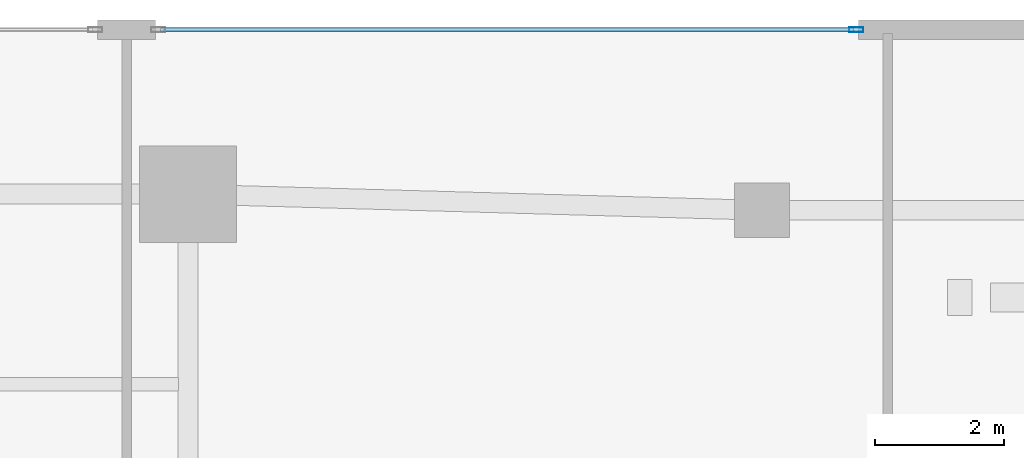
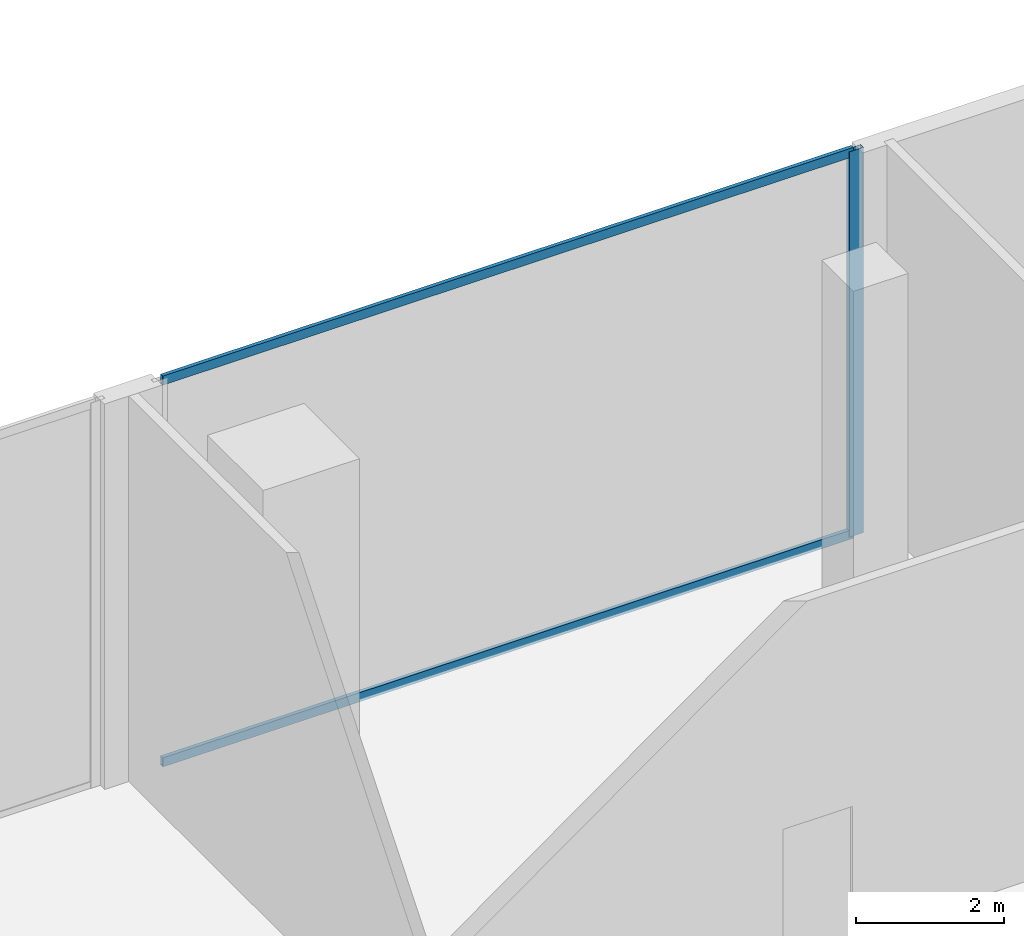
# One storey, part 18 of 30: 3 members, 1 element without a shape of its own.
"""IFC4 building model written with IfcOpenShell, lengths in metres."""

from ifc_helpers import new_model, si_unit, direction, frame, origin, origin_2d, place, context, subcontext, project, spatial, hollow_rectangle, extrude, material, layer, layer_set, material_profile, profile_set, type_object, element, aggregate, save


model = new_model("IFC4")

# Units and contexts
model_context = context("Model", 3, precision=1e-05, world=origin(), true_north=direction((0.0, 1.0)))
body_context = subcontext(model_context, "Body", "Model", "MODEL_VIEW")
ifc_project = project(units=[si_unit("LENGTHUNIT", "METRE"), si_unit("AREAUNIT", "SQUARE_METRE"), si_unit("VOLUMEUNIT", "CUBIC_METRE"), si_unit("PLANEANGLEUNIT", "RADIAN"), si_unit("MASSUNIT", "GRAM", prefix="KILO")], contexts=[model_context])

# Site, building, storey
site_placement = place(None, origin())
site = spatial("IfcSite", under=ifc_project, at=site_placement, CompositionType="ELEMENT")
building_placement = place(site_placement, origin())
building = spatial("IfcBuilding", under=site, at=building_placement, Name="Zuhayl Quay Hotel", CompositionType="ELEMENT")
storey_placement = place(building_placement, frame((0.0, 0.0, 11.39990234375)))
storey = spatial("IfcBuildingStorey", under=building, at=storey_placement, Name="L02", CompositionType="ELEMENT", Elevation=11.39990234375)

# Curtain wall, members
ifc_material_1 = material(Name="Anodised Aluminium 6063-T6", Category="aluminium")
ifc_layer = layer(ifc_material_1, 0.199951171875, Name="Anodised Aluminium 6063-T6", Category="aluminium")
ifc_layer_set = layer_set([ifc_layer], Name="Anodised Aluminium 6063-T6")
curtain_wall_type = type_object("IfcCurtainWallType", Name="CW_SYS_POD", PredefinedType="USERDEFINED", material=ifc_layer_set)
curtain_wall_placement = place(storey_placement, origin())
curtain_wall = element("IfcCurtainWall", 1, at=curtain_wall_placement, inside=storey, type_object=curtain_wall_type, Name="L02 Curtain Wall ENV_L02_E05_CW5", ObjectType="UNITISED CURTAIN WALL", PredefinedType="USERDEFINED")
ifc_material_2 = material(Name="Black-anodised aluminium 6063-T6", Category="aluminium")
ifc_material_profile_1 = material_profile(ifc_material_2, hollow_rectangle(XDim=0.074951171875, YDim=0.219970703125, WallThickness=0.00390625, at=origin_2d()), Name="ALU220X75")
ifc_profile_set_1 = profile_set([ifc_material_profile_1], Name="Black-anodised aluminium 6063-T6")
member_type_1 = type_object("IfcMemberType", Name="MB_CW_MUL_220", PredefinedType="MULLION", material=ifc_profile_set_1)
member_1_placement = place(storey_placement, frame((24.16259765625, 25.0, 0.0), z_axis=(0.0, 0.0, 1.0), x_axis=(0.0, 1.0, 0.0)))
member_1 = element("IfcMember", 2, at=member_1_placement, type_object=member_type_1, Name="CW-POD mullion 2", PredefinedType="MULLION", context=body_context, shape_type="SweptSolid", body=[
    extrude(hollow_rectangle(XDim=0.074951171875, YDim=0.219970703125, WallThickness=0.00390625, at=origin_2d()), origin(), (0.0, 0.0, 1.0), 6.340087890625),
])
ifc_material_profile_2 = material_profile(ifc_material_2, hollow_rectangle(XDim=0.06005859375, YDim=0.14990234375, WallThickness=0.00341796875, at=origin_2d()), Name="ALU150X60")
ifc_profile_set_2 = profile_set([ifc_material_profile_2], Name="Black-anodised aluminium 6063-T6")
member_type_2 = type_object("IfcMemberType", Name="MB_CW_TRN_150", PredefinedType="USERDEFINED", material=ifc_profile_set_2)
member_2_placement = place(storey_placement, frame((13.375, 25.0, 0.030029296875), z_axis=(1.0, 0.0, 0.0), x_axis=(0.0, 1.0, 0.0)))
member_2 = element("IfcMember", 3, at=member_2_placement, type_object=member_type_2, Name="CW-POD transom 1.1", ObjectType="TRANSOM", PredefinedType="USERDEFINED", context=body_context, shape_type="SweptSolid", body=[
    extrude(hollow_rectangle(XDim=0.06005859375, YDim=0.14990234375, WallThickness=0.00341796875, at=origin_2d()), origin(), (0.0, 0.0, 1.0), 10.75),
])
member_3_placement = place(storey_placement, frame((13.375, 25.0, 6.31005859375), z_axis=(1.0, 0.0, 0.0), x_axis=(0.0, 1.0, 0.0)))
member_3 = element("IfcMember", 4, at=member_3_placement, type_object=member_type_2, Name="CW-POD transom 1.2", ObjectType="TRANSOM", PredefinedType="USERDEFINED", context=body_context, shape_type="SweptSolid", body=[
    extrude(hollow_rectangle(XDim=0.06005859375, YDim=0.14990234375, WallThickness=0.00341796875, at=origin_2d()), origin(), (0.0, 0.0, 1.0), 10.75),
])
aggregate(curtain_wall, [member_1, member_2, member_3])

save(model, "model.ifc")
